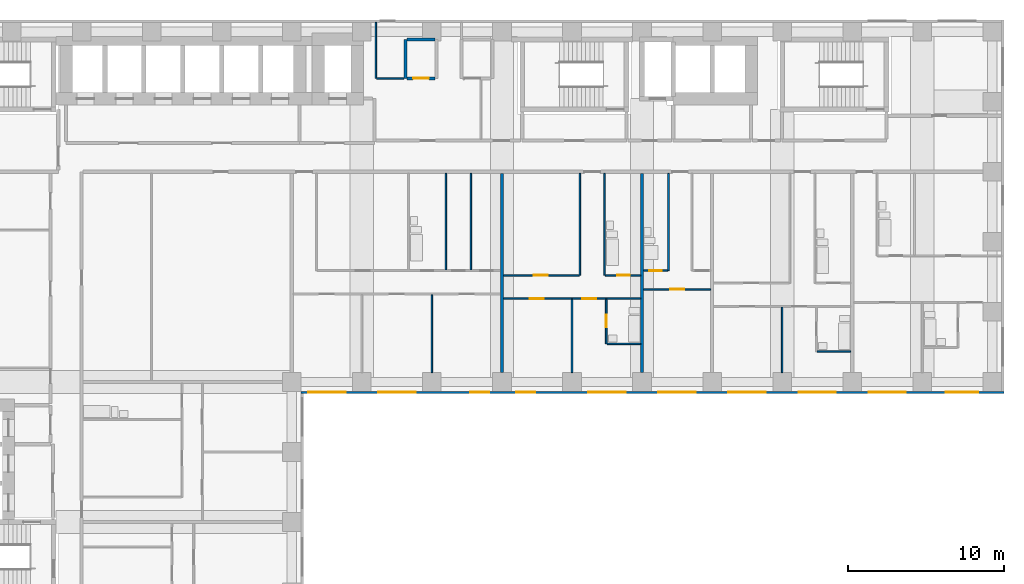
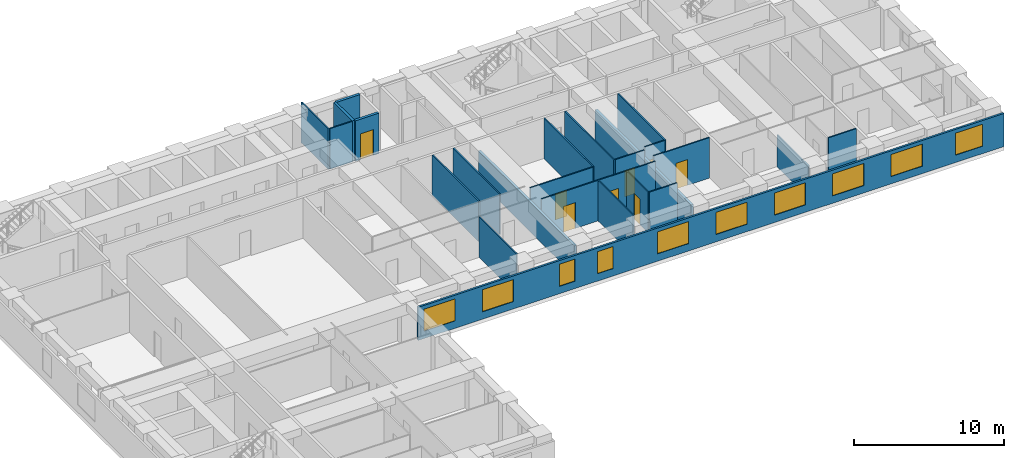
# One storey, part 6 of 12: 24 walls, 10 windows, 8 doors, 18 openings.
"""IFC4 building model written with IfcOpenShell, lengths in metres."""

from ifc_helpers import new_model, si_unit, direction, frame, frame_2d, origin, place, context, subcontext, project, spatial, rectangle, extrude, material, layer, layer_set, type_object, element, fill, save


model = new_model("IFC4")

# Units and contexts
model_context = context("Model", 3, precision=1e-05, world=origin(), true_north=direction((0.0, 1.0)))
body_context = subcontext(model_context, "Body", "Model", "MODEL_VIEW")
ifc_project = project(units=[si_unit("LENGTHUNIT", "METRE"), si_unit("AREAUNIT", "SQUARE_METRE"), si_unit("VOLUMEUNIT", "CUBIC_METRE"), si_unit("PLANEANGLEUNIT", "RADIAN"), si_unit("MASSUNIT", "GRAM", prefix="KILO")], contexts=[model_context])

# Site, building, storey
site_placement = place(None, origin())
site = spatial("IfcSite", under=ifc_project, at=site_placement, CompositionType="ELEMENT")
building_placement = place(site_placement, origin())
building = spatial("IfcBuilding", under=site, at=building_placement, Name="Firuza Court", CompositionType="ELEMENT")
storey_placement = place(building_placement, frame((0.0, 0.0, 65.0)))
storey = spatial("IfcBuildingStorey", under=building, at=storey_placement, Name="L15", CompositionType="ELEMENT", Elevation=65.0)

# Wall
ifc_material_1 = material(Name="Moisture-resistant gypsum board partition")
ifc_layer_1 = layer(ifc_material_1, 0.10009765625)
ifc_layer_set_1 = layer_set([ifc_layer_1], Name="Moisture-resistant gypsum board partition")
wall_type_1 = type_object("IfcWallType", Name="Bathroom partition 100", PredefinedType="PLUMBINGWALL", material=ifc_layer_set_1)
wall_1_placement = place(storey_placement, frame((56.25, 37.949951171875, 0.0), z_axis=(0.0, 0.0, 1.0), x_axis=(1.0, 0.0, 0.0)))
element("IfcWall", 1, at=wall_1_placement, inside=storey, type_object=wall_type_1, Name="Bathroom partition 100 L15", PredefinedType="PLUMBINGWALL", context=body_context, shape_type="SweptSolid", body=[
    extrude(rectangle(XDim=2.14990234375, YDim=0.10009765625, at=frame_2d((1.074951171875, 0.0))), origin(), (0.0, 0.0, 1.0), 3.300048828125),
])

# Wall, opening, door
wall_2_placement = place(storey_placement, frame((42.699951171875, 38.449951171875, 0.0), z_axis=(0.0, 0.0, 1.0), x_axis=(0.0, 1.0, 0.0)))
wall_2 = element("IfcWall", 2, at=wall_2_placement, inside=storey, type_object=wall_type_1, Name="Bathroom partition 100 L15", PredefinedType="PLUMBINGWALL", context=body_context, shape_type="SweptSolid", body=[
    extrude(rectangle(XDim=2.85009765625, YDim=0.10009765625, at=frame_2d((1.425048828125, 0.0))), origin(), (0.0, 0.0, 1.0), 3.300048828125),
])
opening_1_placement = place(wall_2_placement, frame((1.050048828125, 0.0, 0.0)))
opening_1 = element("IfcOpeningElement", 3, at=opening_1_placement, cuts=wall_2, Name="Opening D15046", PredefinedType="OPENING", context=body_context, shape_type="SweptSolid", body=[
    extrude(rectangle(XDim=0.800048828125, YDim=2.10009765625, at=frame_2d((0.39990234375, 1.050048828125))), frame((0.0, 0.06201171875, 0.0), z_axis=(0.0, -1.0, 0.0), x_axis=(1.0, 0.0, 0.0)), (0.0, 0.0, 1.0), 0.1240234375),
])
ifc_material_2 = material(Name="Timber door leaf in hardwood frame", Category="wood")
door_type_1 = type_object("IfcDoorType", Name="Bathroom door 800", OperationType="SINGLE_SWING_LEFT", PredefinedType="DOOR", material=ifc_material_2)
door_1_placement = place(opening_1_placement, frame((0.800048828125, 0.0, 0.0), z_axis=(0.0, 0.0, 1.0), x_axis=(-1.0, 0.0, 0.0)))
door_1 = element("IfcDoor", 4, at=door_1_placement, inside=storey, type_object=door_type_1, Name="En-suite door", OperationType="SINGLE_SWING_RIGHT", OverallHeight=2.10009765625, OverallWidth=0.800048828125, PredefinedType="DOOR", context=body_context, shape_type="SweptSolid", body=[
    extrude(rectangle(XDim=0.800048828125, YDim=2.10009765625, at=frame_2d((0.39990234375, 1.050048828125))), frame((0.0, 0.02490234375, 0.0), z_axis=(0.0, -1.0, 0.0), x_axis=(1.0, 0.0, 0.0)), (0.0, 0.0, 1.0), 0.050048828125),
])
fill(opening_1, door_1)

# Walls
wall_3_placement = place(storey_placement, frame((42.75, 38.449951171875, 0.0), z_axis=(0.0, 0.0, 1.0), x_axis=(1.0, 0.0, 0.0)))
element("IfcWall", 5, at=wall_3_placement, inside=storey, type_object=wall_type_1, Name="Bathroom partition 100 L15", PredefinedType="PLUMBINGWALL", context=body_context, shape_type="SweptSolid", body=[
    extrude(rectangle(XDim=2.14990234375, YDim=0.10009765625, at=frame_2d((1.074951171875, 0.0))), origin(), (0.0, 0.0, 1.0), 3.300048828125),
])
wall_4_placement = place(storey_placement, frame((42.60009765625, 42.85009765625, 0.0), z_axis=(0.0, 0.0, 1.0), x_axis=(0.0, 1.0, 0.0)))
element("IfcWall", 6, at=wall_4_placement, inside=storey, type_object=wall_type_1, Name="Bathroom partition 100 L15", PredefinedType="PLUMBINGWALL", context=body_context, shape_type="SweptSolid", body=[
    extrude(rectangle(XDim=6.5498046875, YDim=0.10009765625, at=frame_2d((3.27490234375, 0.0))), origin(), (0.0, 0.0, 1.0), 3.300048828125),
])
wall_5_placement = place(storey_placement, frame((46.699951171875, 43.14990234375, 0.0), z_axis=(0.0, 0.0, 1.0), x_axis=(0.0, 1.0, 0.0)))
element("IfcWall", 7, at=wall_5_placement, inside=storey, type_object=wall_type_1, Name="Bathroom partition 100 L15", PredefinedType="PLUMBINGWALL", context=body_context, shape_type="SweptSolid", body=[
    extrude(rectangle(XDim=6.25, YDim=0.10009765625, at=frame_2d((3.125, 0.0))), origin(), (0.0, 0.0, 1.0), 3.300048828125),
])
wall_6_placement = place(storey_placement, frame((32.39990234375, 43.199951171875, 0.0), z_axis=(0.0, 0.0, 1.0), x_axis=(0.0, 1.0, 0.0)))
element("IfcWall", 8, at=wall_6_placement, inside=storey, type_object=wall_type_1, Name="Bathroom partition 100 L15", PredefinedType="PLUMBINGWALL", context=body_context, shape_type="SweptSolid", body=[
    extrude(rectangle(XDim=6.199951171875, YDim=0.10009765625, at=frame_2d((3.10009765625, 0.0))), origin(), (0.0, 0.0, 1.0), 3.300048828125),
])
ifc_material_3 = material(Name="Timber stud partition, plasterboard both sides", Category="wood")
ifc_layer_2 = layer(ifc_material_3, 0.10009765625)
ifc_layer_set_2 = layer_set([ifc_layer_2], Name="Timber stud partition, plasterboard both sides")
wall_type_2 = type_object("IfcWallType", Name="Partition wall 100", PredefinedType="PARTITIONING", material=ifc_layer_set_2)
wall_7_placement = place(storey_placement, frame((31.5, 36.60009765625, 0.0), z_axis=(0.0, 0.0, 1.0), x_axis=(0.0, 1.0, 0.0)))
element("IfcWall", 9, at=wall_7_placement, inside=storey, type_object=wall_type_2, Name="Partition wall 100 L15", PredefinedType="PARTITIONING", context=body_context, shape_type="SweptSolid", body=[
    extrude(rectangle(XDim=5.0, YDim=0.10009765625, at=frame_2d((2.5, 0.0))), origin(), (0.0, 0.0, 1.0), 3.300048828125),
])
wall_8_placement = place(storey_placement, frame((40.5, 36.60009765625, 0.0), z_axis=(0.0, 0.0, 1.0), x_axis=(0.0, 1.0, 0.0)))
element("IfcWall", 10, at=wall_8_placement, inside=storey, type_object=wall_type_2, Name="Partition wall 100 L15", PredefinedType="PARTITIONING", context=body_context, shape_type="SweptSolid", body=[
    extrude(rectangle(XDim=4.699951171875, YDim=0.10009765625, at=frame_2d((2.35009765625, 0.0))), origin(), (0.0, 0.0, 1.0), 3.300048828125),
])
wall_9_placement = place(storey_placement, frame((54.0, 36.60009765625, 0.0), z_axis=(0.0, 0.0, 1.0), x_axis=(0.0, 1.0, 0.0)))
element("IfcWall", 11, at=wall_9_placement, inside=storey, type_object=wall_type_2, Name="Partition wall 100 L15", PredefinedType="PARTITIONING", context=body_context, shape_type="SweptSolid", body=[
    extrude(rectangle(XDim=4.199951171875, YDim=0.10009765625, at=frame_2d((2.10009765625, 0.0))), origin(), (0.0, 0.0, 1.0), 2.60009765625),
])

# Wall, openings, doors
wall_10_placement = place(storey_placement, frame((36.10009765625, 41.35009765625, 0.0), z_axis=(0.0, 0.0, 1.0), x_axis=(1.0, 0.0, 0.0)))
wall_10 = element("IfcWall", 12, at=wall_10_placement, inside=storey, type_object=wall_type_2, Name="Partition wall 100 L15", PredefinedType="PARTITIONING", context=body_context, shape_type="SweptSolid", body=[
    extrude(rectangle(XDim=8.7998046875, YDim=0.10009765625, at=frame_2d((4.39990234375, 0.0))), origin(), (0.0, 0.0, 1.0), 3.300048828125),
])
opening_2_placement = place(wall_10_placement, frame((1.699951171875, 0.0, 0.0)))
opening_2 = element("IfcOpeningElement", 13, at=opening_2_placement, cuts=wall_10, Name="Opening D15051", PredefinedType="OPENING", context=body_context, shape_type="SweptSolid", body=[
    extrude(rectangle(XDim=0.89990234375, YDim=2.10009765625, at=frame_2d((0.449951171875, 1.050048828125))), frame((0.0, 0.06201171875, 0.0), z_axis=(0.0, -1.0, 0.0), x_axis=(1.0, 0.0, 0.0)), (0.0, 0.0, 1.0), 0.1240234375),
])
opening_3_placement = place(wall_10_placement, frame((5.050048828125, 0.0, 0.0)))
opening_3 = element("IfcOpeningElement", 14, at=opening_3_placement, cuts=wall_10, Name="Opening D15052", PredefinedType="OPENING", context=body_context, shape_type="SweptSolid", body=[
    extrude(rectangle(XDim=0.89990234375, YDim=2.10009765625, at=frame_2d((0.449951171875, 1.050048828125))), frame((0.0, 0.06201171875, 0.0), z_axis=(0.0, -1.0, 0.0), x_axis=(1.0, 0.0, 0.0)), (0.0, 0.0, 1.0), 0.1240234375),
])
ifc_material_4 = material(Name="Timber door leaf in hardwood frame", Category="wood")
door_type_2 = type_object("IfcDoorType", Name="Room door 900", OperationType="SINGLE_SWING_LEFT", PredefinedType="DOOR", material=ifc_material_4)
door_2_placement = place(opening_2_placement, frame((0.89990234375, 0.0, 0.0), z_axis=(0.0, 0.0, 1.0), x_axis=(-1.0, 0.0, 0.0)))
door_2 = element("IfcDoor", 15, at=door_2_placement, inside=storey, type_object=door_type_2, Name="Living room door", OperationType="SINGLE_SWING_RIGHT", OverallHeight=2.10009765625, OverallWidth=0.89990234375, PredefinedType="DOOR", context=body_context, shape_type="SweptSolid", body=[
    extrude(rectangle(XDim=0.89990234375, YDim=2.10009765625, at=frame_2d((0.449951171875, 1.050048828125))), frame((0.0, 0.02490234375, 0.0), z_axis=(0.0, -1.0, 0.0), x_axis=(1.0, 0.0, 0.0)), (0.0, 0.0, 1.0), 0.050048828125),
])
fill(opening_2, door_2)
door_3_placement = place(opening_3_placement, frame((0.89990234375, 0.0, 0.0), z_axis=(0.0, 0.0, 1.0), x_axis=(-1.0, 0.0, 0.0)))
door_3 = element("IfcDoor", 16, at=door_3_placement, inside=storey, type_object=door_type_2, Name="Bedroom door", OperationType="SINGLE_SWING_RIGHT", OverallHeight=2.10009765625, OverallWidth=0.89990234375, PredefinedType="DOOR", context=body_context, shape_type="SweptSolid", body=[
    extrude(rectangle(XDim=0.89990234375, YDim=2.10009765625, at=frame_2d((0.449951171875, 1.050048828125))), frame((0.0, 0.02490234375, 0.0), z_axis=(0.0, -1.0, 0.0), x_axis=(1.0, 0.0, 0.0)), (0.0, 0.0, 1.0), 0.050048828125),
])
fill(opening_3, door_3)

# Wall, opening, door
wall_11_placement = place(storey_placement, frame((45.10009765625, 41.949951171875, 0.0), z_axis=(0.0, 0.0, 1.0), x_axis=(1.0, 0.0, 0.0)))
wall_11 = element("IfcWall", 17, at=wall_11_placement, inside=storey, type_object=wall_type_2, Name="Partition wall 100 L15", PredefinedType="PARTITIONING", context=body_context, shape_type="SweptSolid", body=[
    extrude(rectangle(XDim=4.2998046875, YDim=0.10009765625, at=frame_2d((2.14990234375, 0.0))), origin(), (0.0, 0.0, 1.0), 3.300048828125),
])
opening_4_placement = place(wall_11_placement, frame((1.699951171875, 0.0, 0.0)))
opening_4 = element("IfcOpeningElement", 18, at=opening_4_placement, cuts=wall_11, Name="Opening D15056", PredefinedType="OPENING", context=body_context, shape_type="SweptSolid", body=[
    extrude(rectangle(XDim=0.89990234375, YDim=2.10009765625, at=frame_2d((0.449951171875, 1.050048828125))), frame((0.0, 0.06201171875, 0.0), z_axis=(0.0, -1.0, 0.0), x_axis=(1.0, 0.0, 0.0)), (0.0, 0.0, 1.0), 0.1240234375),
])
door_4_placement = place(opening_4_placement, frame((0.89990234375, 0.0, 0.0), z_axis=(0.0, 0.0, 1.0), x_axis=(-1.0, 0.0, 0.0)))
door_4 = element("IfcDoor", 19, at=door_4_placement, inside=storey, type_object=door_type_2, Name="Studio room door", OperationType="SINGLE_SWING_RIGHT", OverallHeight=2.10009765625, OverallWidth=0.89990234375, PredefinedType="DOOR", context=body_context, shape_type="SweptSolid", body=[
    extrude(rectangle(XDim=0.89990234375, YDim=2.10009765625, at=frame_2d((0.449951171875, 1.050048828125))), frame((0.0, 0.02490234375, 0.0), z_axis=(0.0, -1.0, 0.0), x_axis=(1.0, 0.0, 0.0)), (0.0, 0.0, 1.0), 0.050048828125),
])
fill(opening_4, door_4)

wall_12_placement = place(storey_placement, frame((36.10009765625, 42.85009765625, 0.0), z_axis=(0.0, 0.0, 1.0), x_axis=(1.0, 0.0, 0.0)))
wall_12 = element("IfcWall", 20, at=wall_12_placement, inside=storey, type_object=wall_type_2, Name="Partition wall 100 L15", PredefinedType="PARTITIONING", context=body_context, shape_type="SweptSolid", body=[
    extrude(rectangle(XDim=4.849853515625, YDim=0.10009765625, at=frame_2d((2.4248046875, 0.0))), origin(), (0.0, 0.0, 1.0), 3.300048828125),
])
opening_5_placement = place(wall_12_placement, frame((1.949951171875, 0.0, 0.0)))
opening_5 = element("IfcOpeningElement", 21, at=opening_5_placement, cuts=wall_12, Name="Opening D15059", PredefinedType="OPENING", context=body_context, shape_type="SweptSolid", body=[
    extrude(rectangle(XDim=0.89990234375, YDim=2.10009765625, at=frame_2d((0.449951171875, 1.050048828125))), frame((0.0, 0.06201171875, 0.0), z_axis=(0.0, -1.0, 0.0), x_axis=(1.0, 0.0, 0.0)), (0.0, 0.0, 1.0), 0.1240234375),
])
door_5_placement = place(opening_5_placement, origin())
door_5 = element("IfcDoor", 22, at=door_5_placement, inside=storey, type_object=door_type_2, Name="Kitchen door", OperationType="SINGLE_SWING_LEFT", OverallHeight=2.10009765625, OverallWidth=0.89990234375, PredefinedType="DOOR", context=body_context, shape_type="SweptSolid", body=[
    extrude(rectangle(XDim=0.89990234375, YDim=2.10009765625, at=frame_2d((0.449951171875, 1.050048828125))), frame((0.0, 0.02490234375, 0.0), z_axis=(0.0, -1.0, 0.0), x_axis=(1.0, 0.0, 0.0)), (0.0, 0.0, 1.0), 0.050048828125),
])
fill(opening_5, door_5)

# Wall
wall_13_placement = place(storey_placement, frame((41.0, 42.85009765625, 0.0), z_axis=(0.0, 0.0, 1.0), x_axis=(0.0, 1.0, 0.0)))
element("IfcWall", 23, at=wall_13_placement, inside=storey, type_object=wall_type_2, Name="Partition wall 100 L15", PredefinedType="PARTITIONING", context=body_context, shape_type="SweptSolid", body=[
    extrude(rectangle(XDim=6.5498046875, YDim=0.10009765625, at=frame_2d((3.27490234375, 0.0))), origin(), (0.0, 0.0, 1.0), 3.300048828125),
])

# Wall, opening, door
wall_14_placement = place(storey_placement, frame((42.64990234375, 42.85009765625, 0.0), z_axis=(0.0, 0.0, 1.0), x_axis=(1.0, 0.0, 0.0)))
wall_14 = element("IfcWall", 24, at=wall_14_placement, inside=storey, type_object=wall_type_2, Name="Partition wall 100 L15", PredefinedType="PARTITIONING", context=body_context, shape_type="SweptSolid", body=[
    extrude(rectangle(XDim=2.25, YDim=0.10009765625, at=frame_2d((1.125, 0.0))), origin(), (0.0, 0.0, 1.0), 3.300048828125),
])
opening_6_placement = place(wall_14_placement, frame((0.75, 0.0, 0.0)))
opening_6 = element("IfcOpeningElement", 25, at=opening_6_placement, cuts=wall_14, Name="Opening D15060", PredefinedType="OPENING", context=body_context, shape_type="SweptSolid", body=[
    extrude(rectangle(XDim=0.800048828125, YDim=2.10009765625, at=frame_2d((0.39990234375, 1.050048828125))), frame((0.0, 0.06201171875, 0.0), z_axis=(0.0, -1.0, 0.0), x_axis=(1.0, 0.0, 0.0)), (0.0, 0.0, 1.0), 0.1240234375),
])
door_6_placement = place(opening_6_placement, origin())
door_6 = element("IfcDoor", 26, at=door_6_placement, inside=storey, type_object=door_type_1, Name="Bathroom door", OperationType="SINGLE_SWING_LEFT", OverallHeight=2.10009765625, OverallWidth=0.800048828125, PredefinedType="DOOR", context=body_context, shape_type="SweptSolid", body=[
    extrude(rectangle(XDim=0.800048828125, YDim=2.10009765625, at=frame_2d((0.39990234375, 1.050048828125))), frame((0.0, 0.02490234375, 0.0), z_axis=(0.0, -1.0, 0.0), x_axis=(1.0, 0.0, 0.0)), (0.0, 0.0, 1.0), 0.050048828125),
])
fill(opening_6, door_6)

wall_15_placement = place(storey_placement, frame((45.10009765625, 43.14990234375, 0.0), z_axis=(0.0, 0.0, 1.0), x_axis=(1.0, 0.0, 0.0)))
wall_15 = element("IfcWall", 27, at=wall_15_placement, inside=storey, type_object=wall_type_2, Name="Partition wall 100 L15", PredefinedType="PARTITIONING", context=body_context, shape_type="SweptSolid", body=[
    extrude(rectangle(XDim=1.5498046875, YDim=0.10009765625, at=frame_2d((0.77490234375, 0.0))), origin(), (0.0, 0.0, 1.0), 3.300048828125),
])
opening_7_placement = place(wall_15_placement, frame((0.35009765625, 0.0, 0.0)))
opening_7 = element("IfcOpeningElement", 28, at=opening_7_placement, cuts=wall_15, Name="Opening D15065", PredefinedType="OPENING", context=body_context, shape_type="SweptSolid", body=[
    extrude(rectangle(XDim=0.800048828125, YDim=2.10009765625, at=frame_2d((0.39990234375, 1.050048828125))), frame((0.0, 0.06201171875, 0.0), z_axis=(0.0, -1.0, 0.0), x_axis=(1.0, 0.0, 0.0)), (0.0, 0.0, 1.0), 0.1240234375),
])
door_7_placement = place(opening_7_placement, origin())
door_7 = element("IfcDoor", 29, at=door_7_placement, inside=storey, type_object=door_type_1, Name="Bathroom door", OperationType="SINGLE_SWING_LEFT", OverallHeight=2.10009765625, OverallWidth=0.800048828125, PredefinedType="DOOR", context=body_context, shape_type="SweptSolid", body=[
    extrude(rectangle(XDim=0.800048828125, YDim=2.10009765625, at=frame_2d((0.39990234375, 1.050048828125))), frame((0.0, 0.02490234375, 0.0), z_axis=(0.0, -1.0, 0.0), x_axis=(1.0, 0.0, 0.0)), (0.0, 0.0, 1.0), 0.050048828125),
])
fill(opening_7, door_7)

# Walls
wall_16_placement = place(storey_placement, frame((34.0, 43.199951171875, 0.0), z_axis=(0.0, 0.0, 1.0), x_axis=(0.0, 1.0, 0.0)))
element("IfcWall", 30, at=wall_16_placement, inside=storey, type_object=wall_type_2, Name="Partition wall 100 L15", PredefinedType="PARTITIONING", context=body_context, shape_type="SweptSolid", body=[
    extrude(rectangle(XDim=6.199951171875, YDim=0.10009765625, at=frame_2d((3.10009765625, 0.0))), origin(), (0.0, 0.0, 1.0), 3.300048828125),
])
wall_17_placement = place(storey_placement, frame((27.89990234375, 55.5, 0.0), z_axis=(0.0, 0.0, 1.0), x_axis=(0.0, 1.0, 0.0)))
element("IfcWall", 31, at=wall_17_placement, inside=storey, type_object=wall_type_2, Name="Partition wall 100 L15", PredefinedType="PARTITIONING", context=body_context, shape_type="SweptSolid", body=[
    extrude(rectangle(XDim=3.60009765625, YDim=0.10009765625, at=frame_2d((1.800048828125, 0.0))), origin(), (0.0, 0.0, 1.0), 3.300048828125),
])
wall_18_placement = place(storey_placement, frame((27.949951171875, 55.5, 0.0), z_axis=(0.0, 0.0, 1.0), x_axis=(1.0, 0.0, 0.0)))
element("IfcWall", 32, at=wall_18_placement, inside=storey, type_object=wall_type_2, Name="Partition wall 100 L15", PredefinedType="PARTITIONING", context=body_context, shape_type="SweptSolid", body=[
    extrude(rectangle(XDim=1.75, YDim=0.10009765625, at=frame_2d((0.875, 0.0))), origin(), (0.0, 0.0, 1.0), 3.300048828125),
])
ifc_material_5 = material(Name="Blockwork, plastered both sides", Category="masonry")
ifc_layer_3 = layer(ifc_material_5, 0.199951171875)
ifc_layer_set_3 = layer_set([ifc_layer_3], Name="Blockwork, plastered both sides")
wall_type_3 = type_object("IfcWallType", Name="Party wall 200", PredefinedType="PARTITIONING", material=ifc_layer_set_3)
wall_19_placement = place(storey_placement, frame((36.0, 36.60009765625, 0.0), z_axis=(0.0, 0.0, 1.0), x_axis=(0.0, 1.0, 0.0)))
element("IfcWall", 33, at=wall_19_placement, inside=storey, type_object=wall_type_3, Name="Party wall 200 L15", PredefinedType="PARTITIONING", context=body_context, shape_type="SweptSolid", body=[
    extrude(rectangle(XDim=12.7998046875, YDim=0.199951171875, at=frame_2d((6.39990234375, 0.0))), origin(), (0.0, 0.0, 1.0), 2.39990234375),
])
wall_20_placement = place(storey_placement, frame((45.0, 36.60009765625, 0.0), z_axis=(0.0, 0.0, 1.0), x_axis=(0.0, 1.0, 0.0)))
element("IfcWall", 34, at=wall_20_placement, inside=storey, type_object=wall_type_3, Name="Party wall 200 L15", PredefinedType="PARTITIONING", context=body_context, shape_type="SweptSolid", body=[
    extrude(rectangle(XDim=12.7998046875, YDim=0.199951171875, at=frame_2d((6.39990234375, 0.0))), origin(), (0.0, 0.0, 1.0), 2.60009765625),
])
ifc_material_6 = material(Name="Blockwork, fire-rated", Category="masonry")
ifc_layer_4 = layer(ifc_material_6, 0.199951171875)
ifc_layer_set_4 = layer_set([ifc_layer_4], Name="Blockwork, fire-rated")
wall_type_4 = type_object("IfcWallType", Name="Plant room wall 200", PredefinedType="PARTITIONING", material=ifc_layer_set_4)
wall_21_placement = place(storey_placement, frame((29.800048828125, 55.5, 0.0), z_axis=(0.0, 0.0, 1.0), x_axis=(0.0, 1.0, 0.0)))
element("IfcWall", 35, at=wall_21_placement, inside=storey, type_object=wall_type_4, Name="Plant room wall 200 L15", PredefinedType="PARTITIONING", context=body_context, shape_type="SweptSolid", body=[
    extrude(rectangle(XDim=2.5, YDim=0.199951171875, at=frame_2d((1.25, 0.0))), origin(), (0.0, 0.0, 1.0), 3.300048828125),
])

# Wall, opening, door
wall_22_placement = place(storey_placement, frame((29.89990234375, 55.5, 0.0), z_axis=(0.0, 0.0, 1.0), x_axis=(1.0, 0.0, 0.0)))
wall_22 = element("IfcWall", 36, at=wall_22_placement, inside=storey, type_object=wall_type_4, Name="Plant room wall 200 L15", PredefinedType="PARTITIONING", context=body_context, shape_type="SweptSolid", body=[
    extrude(rectangle(XDim=1.800048828125, YDim=0.199951171875, at=frame_2d((0.89990234375, 0.0))), origin(), (0.0, 0.0, 1.0), 3.300048828125),
])
opening_8_placement = place(wall_22_placement, frame((0.39990234375, 0.0, 0.0)))
opening_8 = element("IfcOpeningElement", 37, at=opening_8_placement, cuts=wall_22, Name="Opening D15080", PredefinedType="OPENING", context=body_context, shape_type="SweptSolid", body=[
    extrude(rectangle(XDim=1.0, YDim=2.10009765625, at=frame_2d((0.5, 1.050048828125))), frame((0.0, 0.11181640625, 0.0), z_axis=(0.0, -1.0, 0.0), x_axis=(1.0, 0.0, 0.0)), (0.0, 0.0, 1.0), 0.223876953125),
])
ifc_material_7 = material(Name="Timber door leaf in hardwood frame", Category="wood")
door_type_3 = type_object("IfcDoorType", Name="Riser door 1000", OperationType="SINGLE_SWING_LEFT", PredefinedType="DOOR", material=ifc_material_7)
door_8_placement = place(opening_8_placement, origin())
door_8 = element("IfcDoor", 38, at=door_8_placement, inside=storey, type_object=door_type_3, Name="Electrical riser door", OperationType="SINGLE_SWING_LEFT", OverallHeight=2.10009765625, OverallWidth=1.0, PredefinedType="DOOR", context=body_context, shape_type="SweptSolid", body=[
    extrude(rectangle(XDim=1.0, YDim=2.10009765625, at=frame_2d((0.5, 1.050048828125))), frame((0.0, 0.02490234375, 0.0), z_axis=(0.0, -1.0, 0.0), x_axis=(1.0, 0.0, 0.0)), (0.0, 0.0, 1.0), 0.050048828125),
])
fill(opening_8, door_8)

# Wall
wall_23_placement = place(storey_placement, frame((29.89990234375, 58.0, 0.0), z_axis=(0.0, 0.0, 1.0), x_axis=(1.0, 0.0, 0.0)))
element("IfcWall", 39, at=wall_23_placement, inside=storey, type_object=wall_type_4, Name="Plant room wall 200 L15", PredefinedType="PARTITIONING", context=body_context, shape_type="SweptSolid", body=[
    extrude(rectangle(XDim=1.800048828125, YDim=0.199951171875, at=frame_2d((0.89990234375, 0.0))), origin(), (0.0, 0.0, 1.0), 3.300048828125),
])

# Wall, openings, windows
ifc_material_8 = material(Name="Ceramic tile", Category="ceramic")
ifc_layer_5 = layer(ifc_material_8, 0.02001953125)
ifc_material_9 = material(Name="Mineral wool insulation", Category="insulation")
ifc_layer_6 = layer(ifc_material_9, 0.050048828125)
ifc_material_10 = material(Name="Concrete C40/50 precast", Category="concrete")
ifc_layer_7 = layer(ifc_material_10, 0.080078125)
ifc_layer_set_5 = layer_set([ifc_layer_5, ifc_layer_6, ifc_layer_7], Name="Concrete C40/50 precast")
wall_type_5 = type_object("IfcWallType", Name="Precast cladding wall with turquoise TILE PANEL face 150", PredefinedType="STANDARD", material=ifc_layer_set_5)
wall_24_placement = place(storey_placement, frame((23.10009765625, 35.324951171875, 0.0), z_axis=(0.0, 0.0, 1.0), x_axis=(1.0, 0.0, 0.0)))
wall_24 = element("IfcWall", 40, at=wall_24_placement, inside=storey, type_object=wall_type_5, Name="Facade wall L15 S", PredefinedType="STANDARD", context=body_context, shape_type="SweptSolid", body=[
    extrude(rectangle(XDim=45.14990234375, YDim=0.14990234375, at=frame_2d((22.574951171875, 0.0))), origin(), (0.0, 0.0, 1.0), 2.699951171875),
])
opening_9_placement = place(wall_24_placement, frame((0.449951171875, 0.0, 0.60009765625)))
opening_9 = element("IfcOpeningElement", 41, at=opening_9_placement, cuts=wall_24, Name="Opening W1", PredefinedType="OPENING", context=body_context, shape_type="SweptSolid", body=[
    extrude(rectangle(XDim=2.39990234375, YDim=1.800048828125, at=frame_2d((1.199951171875, 0.89990234375))), frame((0.0, 0.0869140625, 0.0), z_axis=(0.0, -1.0, 0.0), x_axis=(1.0, 0.0, 0.0)), (0.0, 0.0, 1.0), 0.173828125),
])
opening_10_placement = place(wall_24_placement, frame((4.949951171875, 0.0, 0.60009765625)))
opening_10 = element("IfcOpeningElement", 42, at=opening_10_placement, cuts=wall_24, Name="Opening W1", PredefinedType="OPENING", context=body_context, shape_type="SweptSolid", body=[
    extrude(rectangle(XDim=2.39990234375, YDim=1.800048828125, at=frame_2d((1.199951171875, 0.89990234375))), frame((0.0, 0.0869140625, 0.0), z_axis=(0.0, -1.0, 0.0), x_axis=(1.0, 0.0, 0.0)), (0.0, 0.0, 1.0), 0.173828125),
])
opening_11_placement = place(wall_24_placement, frame((10.877197265625, 0.0, 0.60009765625)))
opening_11 = element("IfcOpeningElement", 43, at=opening_11_placement, cuts=wall_24, Name="Opening W8", PredefinedType="OPENING", context=body_context, shape_type="SweptSolid", body=[
    extrude(rectangle(XDim=1.199951171875, YDim=1.800048828125, at=frame_2d((0.60009765625, 0.89990234375))), frame((0.0, 0.0869140625, 0.0), z_axis=(0.0, -1.0, 0.0), x_axis=(1.0, 0.0, 0.0)), (0.0, 0.0, 1.0), 0.173828125),
])
opening_12_placement = place(wall_24_placement, frame((13.8232421875, 0.0, 0.60009765625)))
opening_12 = element("IfcOpeningElement", 44, at=opening_12_placement, cuts=wall_24, Name="Opening W8", PredefinedType="OPENING", context=body_context, shape_type="SweptSolid", body=[
    extrude(rectangle(XDim=1.199951171875, YDim=1.800048828125, at=frame_2d((0.60009765625, 0.89990234375))), frame((0.0, 0.0869140625, 0.0), z_axis=(0.0, -1.0, 0.0), x_axis=(1.0, 0.0, 0.0)), (0.0, 0.0, 1.0), 0.173828125),
])
opening_13_placement = place(wall_24_placement, frame((18.449951171875, 0.0, 0.60009765625)))
opening_13 = element("IfcOpeningElement", 45, at=opening_13_placement, cuts=wall_24, Name="Opening W1", PredefinedType="OPENING", context=body_context, shape_type="SweptSolid", body=[
    extrude(rectangle(XDim=2.39990234375, YDim=1.800048828125, at=frame_2d((1.199951171875, 0.89990234375))), frame((0.0, 0.0869140625, 0.0), z_axis=(0.0, -1.0, 0.0), x_axis=(1.0, 0.0, 0.0)), (0.0, 0.0, 1.0), 0.173828125),
])
opening_14_placement = place(wall_24_placement, frame((22.949951171875, 0.0, 0.60009765625)))
opening_14 = element("IfcOpeningElement", 46, at=opening_14_placement, cuts=wall_24, Name="Opening W1", PredefinedType="OPENING", context=body_context, shape_type="SweptSolid", body=[
    extrude(rectangle(XDim=2.39990234375, YDim=1.800048828125, at=frame_2d((1.199951171875, 0.89990234375))), frame((0.0, 0.0869140625, 0.0), z_axis=(0.0, -1.0, 0.0), x_axis=(1.0, 0.0, 0.0)), (0.0, 0.0, 1.0), 0.173828125),
])
opening_15_placement = place(wall_24_placement, frame((27.449951171875, 0.0, 0.60009765625)))
opening_15 = element("IfcOpeningElement", 47, at=opening_15_placement, cuts=wall_24, Name="Opening W1", PredefinedType="OPENING", context=body_context, shape_type="SweptSolid", body=[
    extrude(rectangle(XDim=2.39990234375, YDim=1.800048828125, at=frame_2d((1.199951171875, 0.89990234375))), frame((0.0, 0.0869140625, 0.0), z_axis=(0.0, -1.0, 0.0), x_axis=(1.0, 0.0, 0.0)), (0.0, 0.0, 1.0), 0.173828125),
])
opening_16_placement = place(wall_24_placement, frame((31.949951171875, 0.0, 0.60009765625)))
opening_16 = element("IfcOpeningElement", 48, at=opening_16_placement, cuts=wall_24, Name="Opening W1", PredefinedType="OPENING", context=body_context, shape_type="SweptSolid", body=[
    extrude(rectangle(XDim=2.39990234375, YDim=1.800048828125, at=frame_2d((1.199951171875, 0.89990234375))), frame((0.0, 0.0869140625, 0.0), z_axis=(0.0, -1.0, 0.0), x_axis=(1.0, 0.0, 0.0)), (0.0, 0.0, 1.0), 0.173828125),
])
opening_17_placement = place(wall_24_placement, frame((36.449951171875, 0.0, 0.60009765625)))
opening_17 = element("IfcOpeningElement", 49, at=opening_17_placement, cuts=wall_24, Name="Opening W1", PredefinedType="OPENING", context=body_context, shape_type="SweptSolid", body=[
    extrude(rectangle(XDim=2.39990234375, YDim=1.800048828125, at=frame_2d((1.199951171875, 0.89990234375))), frame((0.0, 0.0869140625, 0.0), z_axis=(0.0, -1.0, 0.0), x_axis=(1.0, 0.0, 0.0)), (0.0, 0.0, 1.0), 0.173828125),
])
opening_18_placement = place(wall_24_placement, frame((41.402587890625, 0.0, 0.60009765625)))
opening_18 = element("IfcOpeningElement", 50, at=opening_18_placement, cuts=wall_24, Name="Opening W6", PredefinedType="OPENING", context=body_context, shape_type="SweptSolid", body=[
    extrude(rectangle(XDim=2.10009765625, YDim=1.800048828125, at=frame_2d((1.050048828125, 0.89990234375))), frame((0.0, 0.0869140625, 0.0), z_axis=(0.0, -1.0, 0.0), x_axis=(1.0, 0.0, 0.0)), (0.0, 0.0, 1.0), 0.173828125),
])
ifc_material_11 = material(Name="Aluminium frame, triple clear glazing", Category="aluminium")
window_type_1 = type_object("IfcWindowType", Name="Window W1 2400 x 1800", PartitioningType="SINGLE_PANEL", PredefinedType="WINDOW", material=ifc_material_11)
window_1_placement = place(opening_9_placement, origin())
window_1 = element("IfcWindow", 51, at=window_1_placement, inside=storey, type_object=window_type_1, Name="Window L15", OverallHeight=1.800048828125, OverallWidth=2.39990234375, PartitioningType="SINGLE_PANEL", PredefinedType="WINDOW", context=body_context, shape_type="SweptSolid", body=[
    extrude(rectangle(XDim=2.39990234375, YDim=1.800048828125, at=frame_2d((1.199951171875, 0.89990234375))), frame((0.0, 0.030029296875, 0.0), z_axis=(0.0, -1.0, 0.0), x_axis=(1.0, 0.0, 0.0)), (0.0, 0.0, 1.0), 0.06005859375),
])
fill(opening_9, window_1)
window_2_placement = place(opening_10_placement, origin())
window_2 = element("IfcWindow", 52, at=window_2_placement, inside=storey, type_object=window_type_1, Name="Window L15", OverallHeight=1.800048828125, OverallWidth=2.39990234375, PartitioningType="SINGLE_PANEL", PredefinedType="WINDOW", context=body_context, shape_type="SweptSolid", body=[
    extrude(rectangle(XDim=2.39990234375, YDim=1.800048828125, at=frame_2d((1.199951171875, 0.89990234375))), frame((0.0, 0.030029296875, 0.0), z_axis=(0.0, -1.0, 0.0), x_axis=(1.0, 0.0, 0.0)), (0.0, 0.0, 1.0), 0.06005859375),
])
fill(opening_10, window_2)
window_3_placement = place(opening_13_placement, origin())
window_3 = element("IfcWindow", 53, at=window_3_placement, inside=storey, type_object=window_type_1, Name="Window L15", OverallHeight=1.800048828125, OverallWidth=2.39990234375, PartitioningType="SINGLE_PANEL", PredefinedType="WINDOW", context=body_context, shape_type="SweptSolid", body=[
    extrude(rectangle(XDim=2.39990234375, YDim=1.800048828125, at=frame_2d((1.199951171875, 0.89990234375))), frame((0.0, 0.030029296875, 0.0), z_axis=(0.0, -1.0, 0.0), x_axis=(1.0, 0.0, 0.0)), (0.0, 0.0, 1.0), 0.06005859375),
])
fill(opening_13, window_3)
window_4_placement = place(opening_14_placement, origin())
window_4 = element("IfcWindow", 54, at=window_4_placement, inside=storey, type_object=window_type_1, Name="Window L15", OverallHeight=1.800048828125, OverallWidth=2.39990234375, PartitioningType="SINGLE_PANEL", PredefinedType="WINDOW", context=body_context, shape_type="SweptSolid", body=[
    extrude(rectangle(XDim=2.39990234375, YDim=1.800048828125, at=frame_2d((1.199951171875, 0.89990234375))), frame((0.0, 0.030029296875, 0.0), z_axis=(0.0, -1.0, 0.0), x_axis=(1.0, 0.0, 0.0)), (0.0, 0.0, 1.0), 0.06005859375),
])
fill(opening_14, window_4)
window_5_placement = place(opening_15_placement, origin())
window_5 = element("IfcWindow", 55, at=window_5_placement, inside=storey, type_object=window_type_1, Name="Window L15", OverallHeight=1.800048828125, OverallWidth=2.39990234375, PartitioningType="SINGLE_PANEL", PredefinedType="WINDOW", context=body_context, shape_type="SweptSolid", body=[
    extrude(rectangle(XDim=2.39990234375, YDim=1.800048828125, at=frame_2d((1.199951171875, 0.89990234375))), frame((0.0, 0.030029296875, 0.0), z_axis=(0.0, -1.0, 0.0), x_axis=(1.0, 0.0, 0.0)), (0.0, 0.0, 1.0), 0.06005859375),
])
fill(opening_15, window_5)
window_6_placement = place(opening_16_placement, origin())
window_6 = element("IfcWindow", 56, at=window_6_placement, inside=storey, type_object=window_type_1, Name="Window L15", OverallHeight=1.800048828125, OverallWidth=2.39990234375, PartitioningType="SINGLE_PANEL", PredefinedType="WINDOW", context=body_context, shape_type="SweptSolid", body=[
    extrude(rectangle(XDim=2.39990234375, YDim=1.800048828125, at=frame_2d((1.199951171875, 0.89990234375))), frame((0.0, 0.030029296875, 0.0), z_axis=(0.0, -1.0, 0.0), x_axis=(1.0, 0.0, 0.0)), (0.0, 0.0, 1.0), 0.06005859375),
])
fill(opening_16, window_6)
window_7_placement = place(opening_17_placement, origin())
window_7 = element("IfcWindow", 57, at=window_7_placement, inside=storey, type_object=window_type_1, Name="Window L15", OverallHeight=1.800048828125, OverallWidth=2.39990234375, PartitioningType="SINGLE_PANEL", PredefinedType="WINDOW", context=body_context, shape_type="SweptSolid", body=[
    extrude(rectangle(XDim=2.39990234375, YDim=1.800048828125, at=frame_2d((1.199951171875, 0.89990234375))), frame((0.0, 0.030029296875, 0.0), z_axis=(0.0, -1.0, 0.0), x_axis=(1.0, 0.0, 0.0)), (0.0, 0.0, 1.0), 0.06005859375),
])
fill(opening_17, window_7)
ifc_material_12 = material(Name="Aluminium frame, triple clear glazing", Category="aluminium")
window_type_2 = type_object("IfcWindowType", Name="Window W6 2100 x 1800", PartitioningType="SINGLE_PANEL", PredefinedType="WINDOW", material=ifc_material_12)
window_8_placement = place(opening_18_placement, origin())
window_8 = element("IfcWindow", 58, at=window_8_placement, inside=storey, type_object=window_type_2, Name="Window L15", OverallHeight=1.800048828125, OverallWidth=2.10009765625, PartitioningType="SINGLE_PANEL", PredefinedType="WINDOW", context=body_context, shape_type="SweptSolid", body=[
    extrude(rectangle(XDim=2.10009765625, YDim=1.800048828125, at=frame_2d((1.050048828125, 0.89990234375))), frame((0.0, 0.030029296875, 0.0), z_axis=(0.0, -1.0, 0.0), x_axis=(1.0, 0.0, 0.0)), (0.0, 0.0, 1.0), 0.06005859375),
])
fill(opening_18, window_8)
ifc_material_13 = material(Name="Aluminium frame, triple clear glazing", Category="aluminium")
window_type_3 = type_object("IfcWindowType", Name="Window W8 1200 x 1800", PartitioningType="SINGLE_PANEL", PredefinedType="WINDOW", material=ifc_material_13)
window_9_placement = place(opening_11_placement, origin())
window_9 = element("IfcWindow", 59, at=window_9_placement, inside=storey, type_object=window_type_3, Name="Window L15", OverallHeight=1.800048828125, OverallWidth=1.199951171875, PartitioningType="SINGLE_PANEL", PredefinedType="WINDOW", context=body_context, shape_type="SweptSolid", body=[
    extrude(rectangle(XDim=1.199951171875, YDim=1.800048828125, at=frame_2d((0.60009765625, 0.89990234375))), frame((0.0, 0.030029296875, 0.0), z_axis=(0.0, -1.0, 0.0), x_axis=(1.0, 0.0, 0.0)), (0.0, 0.0, 1.0), 0.06005859375),
])
fill(opening_11, window_9)
window_10_placement = place(opening_12_placement, origin())
window_10 = element("IfcWindow", 60, at=window_10_placement, inside=storey, type_object=window_type_3, Name="Window L15", OverallHeight=1.800048828125, OverallWidth=1.199951171875, PartitioningType="SINGLE_PANEL", PredefinedType="WINDOW", context=body_context, shape_type="SweptSolid", body=[
    extrude(rectangle(XDim=1.199951171875, YDim=1.800048828125, at=frame_2d((0.60009765625, 0.89990234375))), frame((0.0, 0.030029296875, 0.0), z_axis=(0.0, -1.0, 0.0), x_axis=(1.0, 0.0, 0.0)), (0.0, 0.0, 1.0), 0.06005859375),
])
fill(opening_12, window_10)

save(model, "model.ifc")
